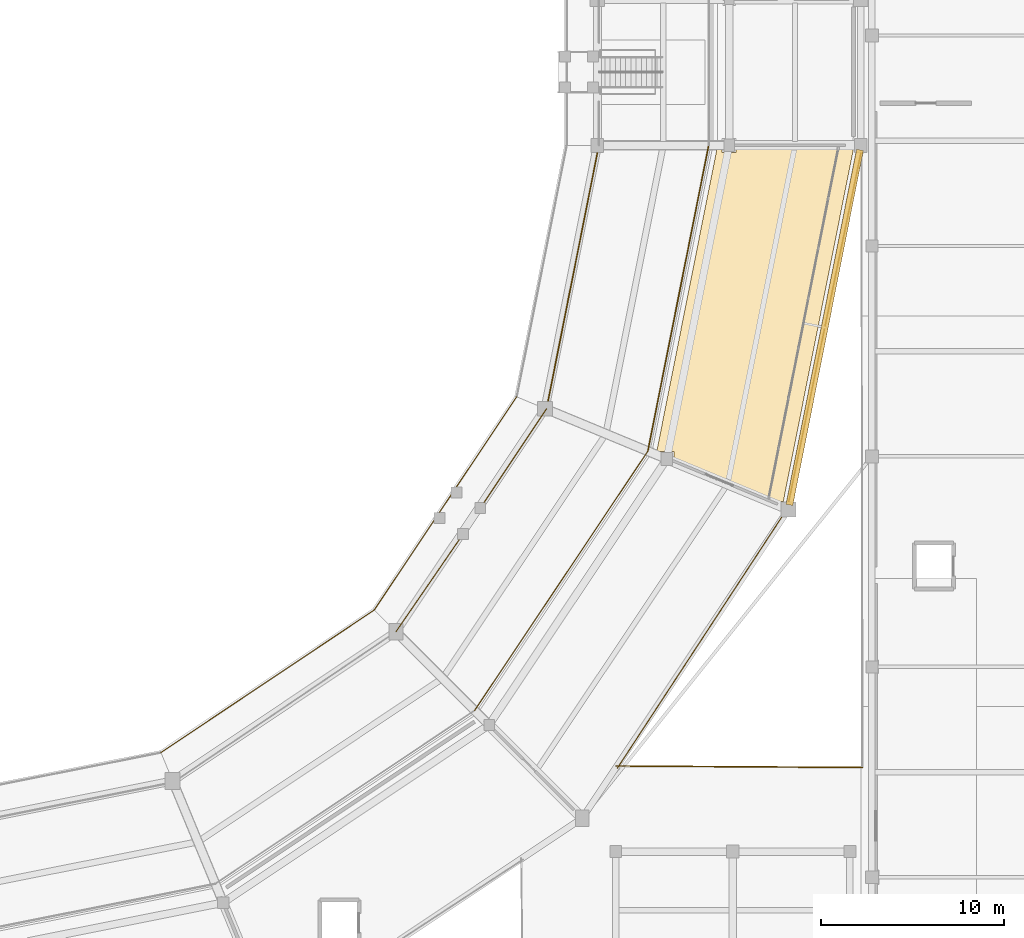
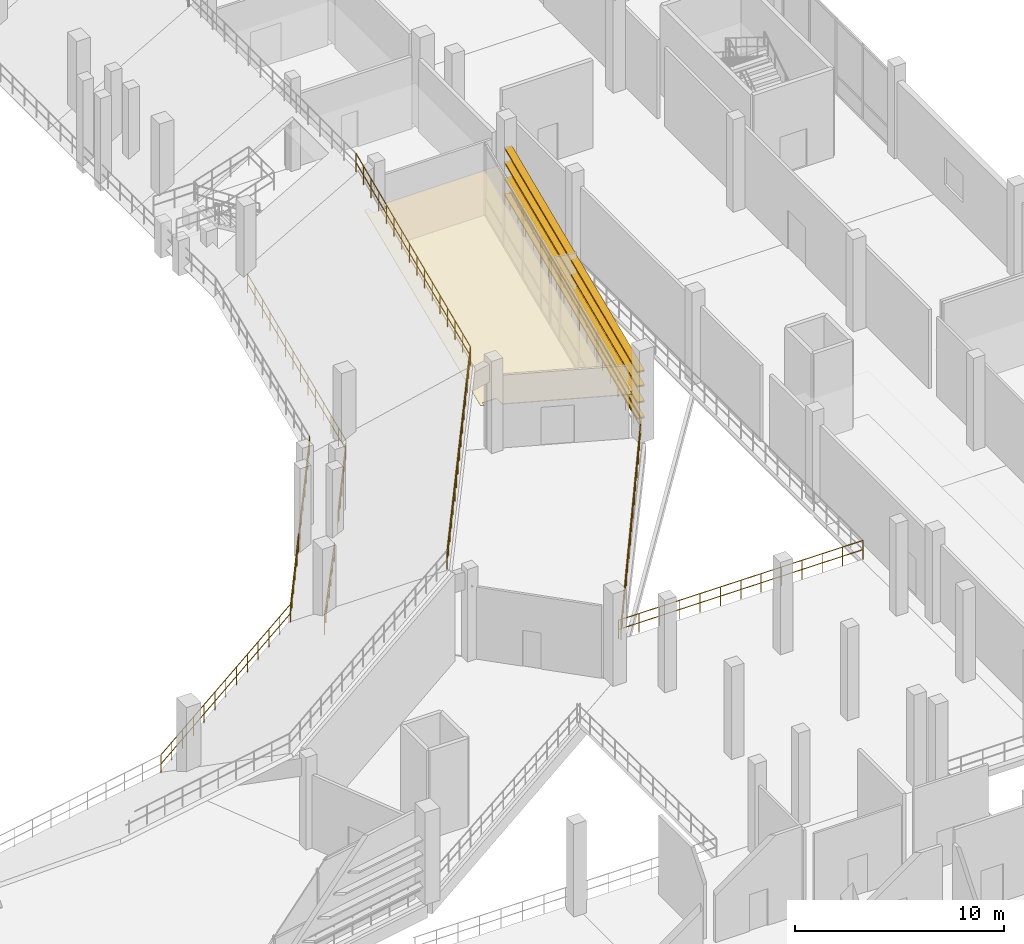
# One storey, part 113 of 127: 10 railings, 4 shading devices, 1 covering.
"""IFC4 building model written with IfcOpenShell, lengths in metres."""

from ifc_helpers import new_model, si_unit, direction, frame, origin, origin_2d, place, context, subcontext, project, spatial, polyline, rectangle, circle, outline, extrude, material, layer, layer_set, type_object, element, save


model = new_model("IFC4")

# Units and contexts
model_context = context("Model", 3, precision=1e-05, world=origin(), true_north=direction((0.0, 1.0)))
body_context = subcontext(model_context, "Body", "Model", "MODEL_VIEW")
ifc_project = project(units=[si_unit("LENGTHUNIT", "METRE"), si_unit("AREAUNIT", "SQUARE_METRE"), si_unit("VOLUMEUNIT", "CUBIC_METRE"), si_unit("PLANEANGLEUNIT", "RADIAN"), si_unit("MASSUNIT", "GRAM", prefix="KILO")], contexts=[model_context])

# Site, building, storey
site_placement = place(None, origin())
site = spatial("IfcSite", under=ifc_project, at=site_placement, CompositionType="ELEMENT")
building_placement = place(site_placement, origin())
building = spatial("IfcBuilding", under=site, at=building_placement, Name="Candeia Ridge Stadium", CompositionType="ELEMENT")
storey_placement = place(building_placement, frame((0.0, 0.0, 10.800048828125)))
storey = spatial("IfcBuildingStorey", under=building, at=storey_placement, Name="L02", CompositionType="ELEMENT", Elevation=10.800048828125)

# Covering
ifc_material_1 = material(Name="Western Red Cedar Acoustic Slat", Category="wood")
ifc_layer_1 = layer(ifc_material_1, 0.044921875, Name="Western Red Cedar Acoustic Slat", Category="wood")
ifc_layer_set_1 = layer_set([ifc_layer_1], Name="Western Red Cedar Acoustic Slat")
covering_type = type_object("IfcCoveringType", Name="Slatted Cedar Acoustic Ceiling 45", PredefinedType="CEILING", material=ifc_layer_set_1)
covering_placement = place(storey_placement, frame((0.0, 0.0, 2.510009765625)))
element("IfcCovering", 1, at=covering_placement, inside=storey, type_object=covering_type, Name="Acoustic ceiling Club Hospitality Suite L02-29", PredefinedType="CEILING", context=body_context, shape_type="SweptSolid", body=[
    extrude(outline(polyline([(185.17236328125, 71.011474609375), (185.173583984375, 71.01416015625), (185.175048828125, 71.0166015625), (185.1767578125, 71.01904296875), (185.1787109375, 71.021240234375), (185.180908203125, 71.023193359375), (185.183349609375, 71.02490234375), (185.185791015625, 71.026611328125), (185.1884765625, 71.027587890625), (185.19140625, 71.02880859375), (185.194091796875, 71.029296875), (185.197021484375, 71.02978515625), (185.199951171875, 71.030029296875), (185.419921875, 71.030029296875), (185.419921875, 70.6201171875), (186.179931640625, 70.6201171875), (186.179931640625, 71.030029296875), (192.580078125, 71.030029296875), (192.580078125, 70.74560546875), (188.759765625, 51.54052734375), (188.601806640625, 51.54052734375), (188.601806640625, 51.29345703125), (182.789794921875, 53.700927734375), (182.789794921875, 54.255859375), (181.98974609375, 54.255859375), (181.98974609375, 54.0322265625), (181.839599609375, 54.094482421875), (181.83837890625, 54.094970703125), (181.83642578125, 54.095458984375), (181.83349609375, 54.09619140625), (181.830810546875, 54.097412109375), (181.828369140625, 54.0986328125), (181.825927734375, 54.10009765625), (181.82373046875, 54.101806640625), (181.821533203125, 54.10400390625), (181.819580078125, 54.10595703125), (181.818115234375, 54.1083984375), (181.816650390625, 54.11083984375), (181.8154296875, 54.113525390625), (181.814453125, 54.1162109375), (181.813720703125, 54.118896484375), (181.8134765625, 54.121826171875), (181.813232421875, 54.124755859375), (181.8134765625, 54.127685546875), (181.81396484375, 54.130615234375), (185.170654296875, 71.005859375), (185.17138671875, 71.0087890625), (185.17236328125, 71.011474609375)])), origin(), (0.0, 0.0, 1.0), 0.0400390625),
])

# Railings
ifc_material_2 = material(Name="Galvanized Powder-Coated Steel", Category="steel")
ifc_layer_2 = layer(ifc_material_2, 0.074951171875, Name="Galvanized Powder-Coated Steel", Category="steel")
ifc_layer_set_2 = layer_set([ifc_layer_2], Name="Galvanized Powder-Coated Steel")
railing_type = type_object("IfcRailingType", Name="Spectator Bowl Front Guardrail 1120", PredefinedType="GUARDRAIL", material=ifc_layer_set_2)
railing_1_placement = place(storey_placement, frame((154.74609375, 37.814208984375, 0.39990234375)))
element("IfcRailing", 2, at=railing_1_placement, inside=storey, type_object=railing_type, Name="Stand T2 front safety guardrail bay 27", PredefinedType="GUARDRAIL", context=body_context, shape_type="SweptSolid", body=[
    extrude(circle(Radius=0.02392578125, at=origin_2d()), frame((0.0, 0.0, 1.09619140625), z_axis=(0.831460234107, 0.555584268224, 0.0), x_axis=(-0.555584268224, 0.831460234107, 0.0)), (0.0, 0.0, 1.0), 14.01513671875),
    extrude(circle(Radius=0.02392578125, at=origin_2d()), frame((0.0, 0.0, 0.56005859375), z_axis=(0.831460234107, 0.555584268224, 0.0), x_axis=(-0.555584268224, 0.831460234107, 0.0)), (0.0, 0.0, 1.0), 14.01513671875),
    extrude(circle(Radius=0.02099609375, at=origin_2d()), origin(), (0.0, 0.0, 1.0), 1.072021484375),
    extrude(circle(Radius=0.02099609375, at=origin_2d()), frame((0.97119140625, 0.64892578125, 0.0)), (0.0, 0.0, 1.0), 1.072021484375),
    extrude(circle(Radius=0.02099609375, at=origin_2d()), frame((1.942138671875, 1.2978515625, 0.0)), (0.0, 0.0, 1.0), 1.072021484375),
    extrude(circle(Radius=0.02099609375, at=origin_2d()), frame((2.913330078125, 1.94677734375, 0.0)), (0.0, 0.0, 1.0), 1.072021484375),
    extrude(circle(Radius=0.02099609375, at=origin_2d()), frame((3.88427734375, 2.595458984375, 0.0)), (0.0, 0.0, 1.0), 1.072021484375),
    extrude(circle(Radius=0.02099609375, at=origin_2d()), frame((4.85546875, 3.244384765625, 0.0)), (0.0, 0.0, 1.0), 1.072021484375),
    extrude(circle(Radius=0.02099609375, at=origin_2d()), frame((5.82666015625, 3.893310546875, 0.0)), (0.0, 0.0, 1.0), 1.072021484375),
    extrude(circle(Radius=0.02099609375, at=origin_2d()), frame((6.797607421875, 4.542236328125, 0.0)), (0.0, 0.0, 1.0), 1.072021484375),
    extrude(circle(Radius=0.02099609375, at=origin_2d()), frame((7.768798828125, 5.191162109375, 0.0)), (0.0, 0.0, 1.0), 1.072021484375),
    extrude(circle(Radius=0.02099609375, at=origin_2d()), frame((8.73974609375, 5.83984375, 0.0)), (0.0, 0.0, 1.0), 1.072021484375),
    extrude(circle(Radius=0.02099609375, at=origin_2d()), frame((9.7109375, 6.48876953125, 0.0)), (0.0, 0.0, 1.0), 1.072021484375),
    extrude(circle(Radius=0.02099609375, at=origin_2d()), frame((10.681884765625, 7.1376953125, 0.0)), (0.0, 0.0, 1.0), 1.072021484375),
    extrude(circle(Radius=0.02099609375, at=origin_2d()), frame((11.653076171875, 7.78662109375, 0.0)), (0.0, 0.0, 1.0), 1.072021484375),
])
railing_2_placement = place(storey_placement, frame((166.399169921875, 45.600830078125, 0.39990234375)))
element("IfcRailing", 3, at=railing_2_placement, inside=storey, type_object=railing_type, Name="Stand T2 front safety guardrail bay 28", PredefinedType="GUARDRAIL", context=body_context, shape_type="SweptSolid", body=[
    extrude(circle(Radius=0.02392578125, at=origin_2d()), frame((0.0, 0.0, 1.09619140625), z_axis=(0.555584268224, 0.831460234107, 0.0), x_axis=(-0.831460234107, 0.555584268224, 0.0)), (0.0, 0.0, 1.0), 14.01513671875),
    extrude(circle(Radius=0.02392578125, at=origin_2d()), frame((0.0, 0.0, 0.56005859375), z_axis=(0.555584268224, 0.831460234107, 0.0), x_axis=(-0.831460234107, 0.555584268224, 0.0)), (0.0, 0.0, 1.0), 14.01513671875),
    extrude(circle(Radius=0.02099609375, at=origin_2d()), origin(), (0.0, 0.0, 1.0), 1.072021484375),
    extrude(circle(Radius=0.02099609375, at=origin_2d()), frame((0.64892578125, 0.97119140625, 0.0)), (0.0, 0.0, 1.0), 1.072021484375),
    extrude(circle(Radius=0.02099609375, at=origin_2d()), frame((1.2978515625, 1.942138671875, 0.0)), (0.0, 0.0, 1.0), 1.072021484375),
    extrude(circle(Radius=0.02099609375, at=origin_2d()), frame((1.94677734375, 2.913330078125, 0.0)), (0.0, 0.0, 1.0), 1.072021484375),
    extrude(circle(Radius=0.02099609375, at=origin_2d()), frame((2.595458984375, 3.88427734375, 0.0)), (0.0, 0.0, 1.0), 1.072021484375),
    extrude(circle(Radius=0.02099609375, at=origin_2d()), frame((3.244384765625, 4.85546875, 0.0)), (0.0, 0.0, 1.0), 1.072021484375),
    extrude(circle(Radius=0.02099609375, at=origin_2d()), frame((3.893310546875, 5.82666015625, 0.0)), (0.0, 0.0, 1.0), 1.072021484375),
    extrude(circle(Radius=0.02099609375, at=origin_2d()), frame((4.542236328125, 6.797607421875, 0.0)), (0.0, 0.0, 1.0), 1.072021484375),
    extrude(circle(Radius=0.02099609375, at=origin_2d()), frame((5.191162109375, 7.768798828125, 0.0)), (0.0, 0.0, 1.0), 1.072021484375),
    extrude(circle(Radius=0.02099609375, at=origin_2d()), frame((5.83984375, 8.73974609375, 0.0)), (0.0, 0.0, 1.0), 1.072021484375),
    extrude(circle(Radius=0.02099609375, at=origin_2d()), frame((6.48876953125, 9.7109375, 0.0)), (0.0, 0.0, 1.0), 1.072021484375),
    extrude(circle(Radius=0.02099609375, at=origin_2d()), frame((7.1376953125, 10.681884765625, 0.0)), (0.0, 0.0, 1.0), 1.072021484375),
    extrude(circle(Radius=0.02099609375, at=origin_2d()), frame((7.78662109375, 11.653076171875, 0.0)), (0.0, 0.0, 1.0), 1.072021484375),
])
railing_3_placement = place(storey_placement, frame((171.886474609375, 40.113525390625, 4.949951171875)))
element("IfcRailing", 4, at=railing_3_placement, inside=storey, type_object=railing_type, Name="Stand T2 rear safety guardrail bay 28", PredefinedType="GUARDRAIL", context=body_context, shape_type="SweptSolid", body=[
    extrude(circle(Radius=0.02392578125, at=origin_2d()), frame((0.0, 0.0, 1.09619140625), z_axis=(0.5555626979, 0.831474647059, 0.0), x_axis=(-0.831474647059, 0.5555626979, 0.0)), (0.0, 0.0, 1.0), 17.043212890625),
    extrude(circle(Radius=0.02392578125, at=origin_2d()), frame((0.0, 0.0, 0.56005859375), z_axis=(0.5555626979, 0.831474647059, 0.0), x_axis=(-0.831474647059, 0.5555626979, 0.0)), (0.0, 0.0, 1.0), 17.043212890625),
    extrude(circle(Radius=0.02099609375, at=origin_2d()), origin(), (0.0, 0.0, 1.0), 1.072021484375),
    extrude(circle(Radius=0.02099609375, at=origin_2d()), frame((0.63134765625, 0.94482421875, 0.0)), (0.0, 0.0, 1.0), 1.072021484375),
    extrude(circle(Radius=0.02099609375, at=origin_2d()), frame((1.262451171875, 1.889404296875, 0.0)), (0.0, 0.0, 1.0), 1.072021484375),
    extrude(circle(Radius=0.02099609375, at=origin_2d()), frame((1.893798828125, 2.834228515625, 0.0)), (0.0, 0.0, 1.0), 1.072021484375),
    extrude(circle(Radius=0.02099609375, at=origin_2d()), frame((2.52490234375, 3.77880859375, 0.0)), (0.0, 0.0, 1.0), 1.072021484375),
    extrude(circle(Radius=0.02099609375, at=origin_2d()), frame((3.15625, 4.7236328125, 0.0)), (0.0, 0.0, 1.0), 1.072021484375),
    extrude(circle(Radius=0.02099609375, at=origin_2d()), frame((3.787353515625, 5.66845703125, 0.0)), (0.0, 0.0, 1.0), 1.072021484375),
    extrude(circle(Radius=0.02099609375, at=origin_2d()), frame((4.418701171875, 6.613037109375, 0.0)), (0.0, 0.0, 1.0), 1.072021484375),
    extrude(circle(Radius=0.02099609375, at=origin_2d()), frame((5.0498046875, 7.557861328125, 0.0)), (0.0, 0.0, 1.0), 1.072021484375),
    extrude(circle(Radius=0.02099609375, at=origin_2d()), frame((5.68115234375, 8.50244140625, 0.0)), (0.0, 0.0, 1.0), 1.072021484375),
    extrude(circle(Radius=0.02099609375, at=origin_2d()), frame((6.312255859375, 9.447265625, 0.0)), (0.0, 0.0, 1.0), 1.072021484375),
    extrude(circle(Radius=0.02099609375, at=origin_2d()), frame((6.943603515625, 10.39208984375, 0.0)), (0.0, 0.0, 1.0), 1.072021484375),
    extrude(circle(Radius=0.02099609375, at=origin_2d()), frame((7.57470703125, 11.336669921875, 0.0)), (0.0, 0.0, 1.0), 1.072021484375),
    extrude(circle(Radius=0.02099609375, at=origin_2d()), frame((8.2060546875, 12.281494140625, 0.0)), (0.0, 0.0, 1.0), 1.072021484375),
    extrude(circle(Radius=0.02099609375, at=origin_2d()), frame((8.837158203125, 13.22607421875, 0.0)), (0.0, 0.0, 1.0), 1.072021484375),
    extrude(circle(Radius=0.02099609375, at=origin_2d()), frame((9.468505859375, 14.1708984375, 0.0)), (0.0, 0.0, 1.0), 1.072021484375),
])
railing_4_placement = place(storey_placement, frame((181.35498046875, 54.284423828125, 4.949951171875)))
element("IfcRailing", 5, at=railing_4_placement, inside=storey, type_object=railing_type, Name="Stand T2 rear safety guardrail bay 29", PredefinedType="GUARDRAIL", context=body_context, shape_type="SweptSolid", body=[
    extrude(circle(Radius=0.02392578125, at=origin_2d()), frame((0.0, 0.0, 1.09619140625), z_axis=(0.195091244467, 0.980785096916, 0.0), x_axis=(-0.980785096916, 0.195091244467, 0.0)), (0.0, 0.0, 1.0), 17.04296875),
    extrude(circle(Radius=0.02392578125, at=origin_2d()), frame((0.0, 0.0, 0.56005859375), z_axis=(0.195091244467, 0.980785096916, 0.0), x_axis=(-0.980785096916, 0.195091244467, 0.0)), (0.0, 0.0, 1.0), 17.04296875),
    extrude(circle(Radius=0.02099609375, at=origin_2d()), origin(), (0.0, 0.0, 1.0), 1.072021484375),
    extrude(circle(Radius=0.02099609375, at=origin_2d()), frame((0.2216796875, 1.1142578125, 0.0)), (0.0, 0.0, 1.0), 1.072021484375),
    extrude(circle(Radius=0.02099609375, at=origin_2d()), frame((0.443359375, 2.228759765625, 0.0)), (0.0, 0.0, 1.0), 1.072021484375),
    extrude(circle(Radius=0.02099609375, at=origin_2d()), frame((0.6650390625, 3.343017578125, 0.0)), (0.0, 0.0, 1.0), 1.072021484375),
    extrude(circle(Radius=0.02099609375, at=origin_2d()), frame((0.88671875, 4.45751953125, 0.0)), (0.0, 0.0, 1.0), 1.072021484375),
    extrude(circle(Radius=0.02099609375, at=origin_2d()), frame((1.1083984375, 5.57177734375, 0.0)), (0.0, 0.0, 1.0), 1.072021484375),
    extrude(circle(Radius=0.02099609375, at=origin_2d()), frame((1.330078125, 6.686279296875, 0.0)), (0.0, 0.0, 1.0), 1.072021484375),
    extrude(circle(Radius=0.02099609375, at=origin_2d()), frame((1.5517578125, 7.800537109375, 0.0)), (0.0, 0.0, 1.0), 1.072021484375),
    extrude(circle(Radius=0.02099609375, at=origin_2d()), frame((1.773193359375, 8.9150390625, 0.0)), (0.0, 0.0, 1.0), 1.072021484375),
    extrude(circle(Radius=0.02099609375, at=origin_2d()), frame((1.994873046875, 10.029296875, 0.0)), (0.0, 0.0, 1.0), 1.072021484375),
    extrude(circle(Radius=0.02099609375, at=origin_2d()), frame((2.216552734375, 11.143798828125, 0.0)), (0.0, 0.0, 1.0), 1.072021484375),
    extrude(circle(Radius=0.02099609375, at=origin_2d()), frame((2.438232421875, 12.258056640625, 0.0)), (0.0, 0.0, 1.0), 1.072021484375),
    extrude(circle(Radius=0.02099609375, at=origin_2d()), frame((2.659912109375, 13.37255859375, 0.0)), (0.0, 0.0, 1.0), 1.072021484375),
    extrude(circle(Radius=0.02099609375, at=origin_2d()), frame((2.881591796875, 14.48681640625, 0.0)), (0.0, 0.0, 1.0), 1.072021484375),
    extrude(circle(Radius=0.02099609375, at=origin_2d()), frame((3.103271484375, 15.601318359375, 0.0)), (0.0, 0.0, 1.0), 1.072021484375),
    extrude(circle(Radius=0.02099609375, at=origin_2d()), frame((3.324951171875, 16.715576171875, 0.0)), (0.0, 0.0, 1.0), 1.072021484375),
])
railing_5_placement = place(storey_placement, frame((179.6201171875, 37.080078125, 0.0)))
element("IfcRailing", 6, at=railing_5_placement, inside=storey, type_object=railing_type, Name="Deck edge safety guardrail GR-DE-L02-0077", PredefinedType="GUARDRAIL", context=body_context, shape_type="SweptSolid", body=[
    extrude(circle(Radius=0.02392578125, at=origin_2d()), frame((0.0, 0.0, 1.09619140625), z_axis=(0.99998230304, -0.005949252619, 0.0), x_axis=(0.005949252619, 0.99998230304, 0.0)), (0.0, 0.0, 1.0), 13.460205078125),
    extrude(circle(Radius=0.02392578125, at=origin_2d()), frame((0.0, 0.0, 0.56005859375), z_axis=(0.99998230304, -0.005949252619, 0.0), x_axis=(0.005949252619, 0.99998230304, 0.0)), (0.0, 0.0, 1.0), 13.460205078125),
    extrude(circle(Radius=0.02099609375, at=origin_2d()), origin(), (0.0, 0.0, 1.0), 1.072021484375),
    extrude(circle(Radius=0.02099609375, at=origin_2d()), frame((1.12158203125, -0.006591796875, 0.0)), (0.0, 0.0, 1.0), 1.072021484375),
    extrude(circle(Radius=0.02099609375, at=origin_2d()), frame((2.243408203125, -0.013427734375, 0.0)), (0.0, 0.0, 1.0), 1.072021484375),
    extrude(circle(Radius=0.02099609375, at=origin_2d()), frame((3.364990234375, -0.02001953125, 0.0)), (0.0, 0.0, 1.0), 1.072021484375),
    extrude(circle(Radius=0.02099609375, at=origin_2d()), frame((4.486572265625, -0.026611328125, 0.0)), (0.0, 0.0, 1.0), 1.072021484375),
    extrude(circle(Radius=0.02099609375, at=origin_2d()), frame((5.6083984375, -0.033447265625, 0.0)), (0.0, 0.0, 1.0), 1.072021484375),
    extrude(circle(Radius=0.02099609375, at=origin_2d()), frame((6.72998046875, -0.0400390625, 0.0)), (0.0, 0.0, 1.0), 1.072021484375),
    extrude(circle(Radius=0.02099609375, at=origin_2d()), frame((7.8515625, -0.046630859375, 0.0)), (0.0, 0.0, 1.0), 1.072021484375),
    extrude(circle(Radius=0.02099609375, at=origin_2d()), frame((8.973388671875, -0.053466796875, 0.0)), (0.0, 0.0, 1.0), 1.072021484375),
    extrude(circle(Radius=0.02099609375, at=origin_2d()), frame((10.094970703125, -0.06005859375, 0.0)), (0.0, 0.0, 1.0), 1.072021484375),
    extrude(circle(Radius=0.02099609375, at=origin_2d()), frame((11.216552734375, -0.066650390625, 0.0)), (0.0, 0.0, 1.0), 1.072021484375),
    extrude(circle(Radius=0.02099609375, at=origin_2d()), frame((12.33837890625, -0.073486328125, 0.0)), (0.0, 0.0, 1.0), 1.072021484375),
    extrude(circle(Radius=0.02099609375, at=origin_2d()), frame((13.4599609375, -0.080078125, 0.0)), (0.0, 0.0, 1.0), 1.072021484375),
])
railing_6_placement = place(storey_placement, frame((193.017333984375, 70.6767578125, 0.0)))
element("IfcRailing", 7, at=railing_6_placement, inside=storey, type_object=railing_type, Name="Deck edge safety guardrail GR-DE-L02-0079", PredefinedType="GUARDRAIL", context=body_context, shape_type="SweptSolid", body=[
    extrude(circle(Radius=0.02392578125, at=origin_2d()), frame((0.0, 0.0, 1.09619140625), z_axis=(-0.202662673924, -0.97924861021, 0.0), x_axis=(0.97924861021, -0.202662673924, 0.0)), (0.0, 0.0, 1.0), 19.945556640625),
    extrude(circle(Radius=0.02392578125, at=origin_2d()), frame((0.0, 0.0, 0.56005859375), z_axis=(-0.202662673924, -0.97924861021, 0.0), x_axis=(0.97924861021, -0.202662673924, 0.0)), (0.0, 0.0, 1.0), 19.945556640625),
    extrude(circle(Radius=0.02099609375, at=origin_2d()), origin(), (0.0, 0.0, 1.0), 1.072021484375),
    extrude(circle(Radius=0.02099609375, at=origin_2d()), frame((-0.23779296875, -1.14892578125, 0.0)), (0.0, 0.0, 1.0), 1.072021484375),
    extrude(circle(Radius=0.02099609375, at=origin_2d()), frame((-0.4755859375, -2.2978515625, 0.0)), (0.0, 0.0, 1.0), 1.072021484375),
    extrude(circle(Radius=0.02099609375, at=origin_2d()), frame((-0.71337890625, -3.44677734375, 0.0)), (0.0, 0.0, 1.0), 1.072021484375),
    extrude(circle(Radius=0.02099609375, at=origin_2d()), frame((-0.951171875, -4.595703125, 0.0)), (0.0, 0.0, 1.0), 1.072021484375),
    extrude(circle(Radius=0.02099609375, at=origin_2d()), frame((-1.18896484375, -5.74462890625, 0.0)), (0.0, 0.0, 1.0), 1.072021484375),
    extrude(circle(Radius=0.02099609375, at=origin_2d()), frame((-1.4267578125, -6.8935546875, 0.0)), (0.0, 0.0, 1.0), 1.072021484375),
    extrude(circle(Radius=0.02099609375, at=origin_2d()), frame((-1.66455078125, -8.04248046875, 0.0)), (0.0, 0.0, 1.0), 1.072021484375),
    extrude(circle(Radius=0.02099609375, at=origin_2d()), frame((-1.90234375, -9.19140625, 0.0)), (0.0, 0.0, 1.0), 1.072021484375),
    extrude(circle(Radius=0.02099609375, at=origin_2d()), frame((-2.139892578125, -10.34033203125, 0.0)), (0.0, 0.0, 1.0), 1.072021484375),
    extrude(circle(Radius=0.02099609375, at=origin_2d()), frame((-2.377685546875, -11.4892578125, 0.0)), (0.0, 0.0, 1.0), 1.072021484375),
    extrude(circle(Radius=0.02099609375, at=origin_2d()), frame((-2.615478515625, -12.63818359375, 0.0)), (0.0, 0.0, 1.0), 1.072021484375),
    extrude(circle(Radius=0.02099609375, at=origin_2d()), frame((-2.853271484375, -13.787109375, 0.0)), (0.0, 0.0, 1.0), 1.072021484375),
    extrude(circle(Radius=0.02099609375, at=origin_2d()), frame((-3.091064453125, -14.93603515625, 0.0)), (0.0, 0.0, 1.0), 1.072021484375),
    extrude(circle(Radius=0.02099609375, at=origin_2d()), frame((-3.328857421875, -16.0849609375, 0.0)), (0.0, 0.0, 1.0), 1.072021484375),
    extrude(circle(Radius=0.02099609375, at=origin_2d()), frame((-3.566650390625, -17.23388671875, 0.0)), (0.0, 0.0, 1.0), 1.072021484375),
    extrude(circle(Radius=0.02099609375, at=origin_2d()), frame((-3.804443359375, -18.3828125, 0.0)), (0.0, 0.0, 1.0), 1.072021484375),
    extrude(circle(Radius=0.02099609375, at=origin_2d()), frame((-4.042236328125, -19.53173828125, 0.0)), (0.0, 0.0, 1.0), 1.072021484375),
])
railing_7_placement = place(storey_placement, frame((188.97509765625, 51.14501953125, 0.0)))
element("IfcRailing", 8, at=railing_7_placement, inside=storey, type_object=railing_type, Name="Deck edge safety guardrail GR-DE-L02-0080", PredefinedType="GUARDRAIL", context=body_context, shape_type="SweptSolid", body=[
    extrude(circle(Radius=0.02392578125, at=origin_2d()), frame((0.0, 0.0, 1.09619140625), z_axis=(-0.547697653631, -0.836676329417, 0.0), x_axis=(0.836676329417, -0.547697653631, 0.0)), (0.0, 0.0, 1.0), 16.959228515625),
    extrude(circle(Radius=0.02392578125, at=origin_2d()), frame((0.0, 0.0, 0.56005859375), z_axis=(-0.547697653631, -0.836676329417, 0.0), x_axis=(0.836676329417, -0.547697653631, 0.0)), (0.0, 0.0, 1.0), 16.959228515625),
    extrude(circle(Radius=0.02099609375, at=origin_2d()), origin(), (0.0, 0.0, 1.0), 1.072021484375),
    extrude(circle(Radius=0.02099609375, at=origin_2d()), frame((-0.619140625, -0.946044921875, 0.0)), (0.0, 0.0, 1.0), 1.072021484375),
    extrude(circle(Radius=0.02099609375, at=origin_2d()), frame((-1.238525390625, -1.891845703125, 0.0)), (0.0, 0.0, 1.0), 1.072021484375),
    extrude(circle(Radius=0.02099609375, at=origin_2d()), frame((-1.857666015625, -2.837890625, 0.0)), (0.0, 0.0, 1.0), 1.072021484375),
    extrude(circle(Radius=0.02099609375, at=origin_2d()), frame((-2.47705078125, -3.783935546875, 0.0)), (0.0, 0.0, 1.0), 1.072021484375),
    extrude(circle(Radius=0.02099609375, at=origin_2d()), frame((-3.09619140625, -4.729736328125, 0.0)), (0.0, 0.0, 1.0), 1.072021484375),
    extrude(circle(Radius=0.02099609375, at=origin_2d()), frame((-3.71533203125, -5.67578125, 0.0)), (0.0, 0.0, 1.0), 1.072021484375),
    extrude(circle(Radius=0.02099609375, at=origin_2d()), frame((-4.334716796875, -6.621826171875, 0.0)), (0.0, 0.0, 1.0), 1.072021484375),
    extrude(circle(Radius=0.02099609375, at=origin_2d()), frame((-4.953857421875, -7.567626953125, 0.0)), (0.0, 0.0, 1.0), 1.072021484375),
    extrude(circle(Radius=0.02099609375, at=origin_2d()), frame((-5.5732421875, -8.513671875, 0.0)), (0.0, 0.0, 1.0), 1.072021484375),
    extrude(circle(Radius=0.02099609375, at=origin_2d()), frame((-6.1923828125, -9.459716796875, 0.0)), (0.0, 0.0, 1.0), 1.072021484375),
    extrude(circle(Radius=0.02099609375, at=origin_2d()), frame((-6.8115234375, -10.405517578125, 0.0)), (0.0, 0.0, 1.0), 1.072021484375),
    extrude(circle(Radius=0.02099609375, at=origin_2d()), frame((-7.430908203125, -11.3515625, 0.0)), (0.0, 0.0, 1.0), 1.072021484375),
    extrude(circle(Radius=0.02099609375, at=origin_2d()), frame((-8.050048828125, -12.297607421875, 0.0)), (0.0, 0.0, 1.0), 1.072021484375),
    extrude(circle(Radius=0.02099609375, at=origin_2d()), frame((-8.66943359375, -13.243408203125, 0.0)), (0.0, 0.0, 1.0), 1.072021484375),
    extrude(circle(Radius=0.02099609375, at=origin_2d()), frame((-9.28857421875, -14.189453125, 0.0)), (0.0, 0.0, 1.0), 1.072021484375),
])
railing_8_placement = place(storey_placement, frame((167.587158203125, 44.412841796875, 0.0)))
element("IfcRailing", 9, at=railing_8_placement, inside=storey, type_object=railing_type, Name="Deck edge safety guardrail GR-DE-L02-0089", PredefinedType="GUARDRAIL", context=body_context, shape_type="SweptSolid", body=[
    extrude(circle(Radius=0.02392578125, at=origin_2d()), frame((0.0, 0.0, 1.09619140625), z_axis=(0.566371994549, 0.824149721707, 0.0), x_axis=(-0.824149721707, 0.566371994549, 0.0)), (0.0, 0.0, 1.0), 6.144775390625),
    extrude(circle(Radius=0.02392578125, at=origin_2d()), frame((0.0, 0.0, 0.56005859375), z_axis=(0.566371994549, 0.824149721707, 0.0), x_axis=(-0.824149721707, 0.566371994549, 0.0)), (0.0, 0.0, 1.0), 6.144775390625),
    extrude(circle(Radius=0.02099609375, at=origin_2d()), origin(), (0.0, 0.0, 1.0), 1.072021484375),
    extrude(circle(Radius=0.02099609375, at=origin_2d()), frame((0.580078125, 0.843994140625, 0.0)), (0.0, 0.0, 1.0), 1.072021484375),
    extrude(circle(Radius=0.02099609375, at=origin_2d()), frame((1.16015625, 1.68798828125, 0.0)), (0.0, 0.0, 1.0), 1.072021484375),
    extrude(circle(Radius=0.02099609375, at=origin_2d()), frame((1.740234375, 2.5322265625, 0.0)), (0.0, 0.0, 1.0), 1.072021484375),
    extrude(circle(Radius=0.02099609375, at=origin_2d()), frame((2.320068359375, 3.376220703125, 0.0)), (0.0, 0.0, 1.0), 1.072021484375),
    extrude(circle(Radius=0.02099609375, at=origin_2d()), frame((2.900146484375, 4.22021484375, 0.0)), (0.0, 0.0, 1.0), 1.072021484375),
    extrude(circle(Radius=0.02099609375, at=origin_2d()), frame((3.480224609375, 5.064208984375, 0.0)), (0.0, 0.0, 1.0), 1.072021484375),
])
railing_9_placement = place(storey_placement, frame((172.390869140625, 51.457763671875, 0.0)))
element("IfcRailing", 10, at=railing_9_placement, inside=storey, type_object=railing_type, Name="Deck edge safety guardrail GR-DE-L02-0090", PredefinedType="GUARDRAIL", context=body_context, shape_type="SweptSolid", body=[
    extrude(circle(Radius=0.02392578125, at=origin_2d()), frame((0.0, 0.0, 1.09619140625), z_axis=(0.554745815185, 0.832019879891, 0.0), x_axis=(-0.832019879891, 0.554745815185, 0.0)), (0.0, 0.0, 1.0), 6.175048828125),
    extrude(circle(Radius=0.02392578125, at=origin_2d()), frame((0.0, 0.0, 0.56005859375), z_axis=(0.554745815185, 0.832019879891, 0.0), x_axis=(-0.832019879891, 0.554745815185, 0.0)), (0.0, 0.0, 1.0), 6.175048828125),
    extrude(circle(Radius=0.02099609375, at=origin_2d()), origin(), (0.0, 0.0, 1.0), 1.072021484375),
    extrude(circle(Radius=0.02099609375, at=origin_2d()), frame((0.57080078125, 0.856201171875, 0.0)), (0.0, 0.0, 1.0), 1.072021484375),
    extrude(circle(Radius=0.02099609375, at=origin_2d()), frame((1.141845703125, 1.712646484375, 0.0)), (0.0, 0.0, 1.0), 1.072021484375),
    extrude(circle(Radius=0.02099609375, at=origin_2d()), frame((1.712890625, 2.56884765625, 0.0)), (0.0, 0.0, 1.0), 1.072021484375),
    extrude(circle(Radius=0.02099609375, at=origin_2d()), frame((2.28369140625, 3.425048828125, 0.0)), (0.0, 0.0, 1.0), 1.072021484375),
    extrude(circle(Radius=0.02099609375, at=origin_2d()), frame((2.8544921875, 4.281494140625, 0.0)), (0.0, 0.0, 1.0), 1.072021484375),
    extrude(circle(Radius=0.02099609375, at=origin_2d()), frame((3.425537109375, 5.1376953125, 0.0)), (0.0, 0.0, 1.0), 1.072021484375),
])
railing_10_placement = place(storey_placement, frame((175.81640625, 56.595458984375, 0.0)))
element("IfcRailing", 11, at=railing_10_placement, inside=storey, type_object=railing_type, Name="Deck edge safety guardrail GR-DE-L02-0091", PredefinedType="GUARDRAIL", context=body_context, shape_type="SweptSolid", body=[
    extrude(circle(Radius=0.02392578125, at=origin_2d()), frame((0.0, 0.0, 1.09619140625), z_axis=(0.194977927437, 0.98080763038, 0.0), x_axis=(-0.98080763038, 0.194977927437, 0.0)), (0.0, 0.0, 1.0), 14.6865234375),
    extrude(circle(Radius=0.02392578125, at=origin_2d()), frame((0.0, 0.0, 0.56005859375), z_axis=(0.194977927437, 0.98080763038, 0.0), x_axis=(-0.98080763038, 0.194977927437, 0.0)), (0.0, 0.0, 1.0), 14.6865234375),
    extrude(circle(Radius=0.02099609375, at=origin_2d()), origin(), (0.0, 0.0, 1.0), 1.072021484375),
    extrude(circle(Radius=0.02099609375, at=origin_2d()), frame((0.22021484375, 1.108154296875, 0.0)), (0.0, 0.0, 1.0), 1.072021484375),
    extrude(circle(Radius=0.02099609375, at=origin_2d()), frame((0.4404296875, 2.216064453125, 0.0)), (0.0, 0.0, 1.0), 1.072021484375),
    extrude(circle(Radius=0.02099609375, at=origin_2d()), frame((0.660888671875, 3.32421875, 0.0)), (0.0, 0.0, 1.0), 1.072021484375),
    extrude(circle(Radius=0.02099609375, at=origin_2d()), frame((0.881103515625, 4.43212890625, 0.0)), (0.0, 0.0, 1.0), 1.072021484375),
    extrude(circle(Radius=0.02099609375, at=origin_2d()), frame((1.101318359375, 5.540283203125, 0.0)), (0.0, 0.0, 1.0), 1.072021484375),
    extrude(circle(Radius=0.02099609375, at=origin_2d()), frame((1.321533203125, 6.648193359375, 0.0)), (0.0, 0.0, 1.0), 1.072021484375),
    extrude(circle(Radius=0.02099609375, at=origin_2d()), frame((1.5419921875, 7.75634765625, 0.0)), (0.0, 0.0, 1.0), 1.072021484375),
    extrude(circle(Radius=0.02099609375, at=origin_2d()), frame((1.76220703125, 8.8642578125, 0.0)), (0.0, 0.0, 1.0), 1.072021484375),
    extrude(circle(Radius=0.02099609375, at=origin_2d()), frame((1.982421875, 9.972412109375, 0.0)), (0.0, 0.0, 1.0), 1.072021484375),
    extrude(circle(Radius=0.02099609375, at=origin_2d()), frame((2.20263671875, 11.080322265625, 0.0)), (0.0, 0.0, 1.0), 1.072021484375),
    extrude(circle(Radius=0.02099609375, at=origin_2d()), frame((2.423095703125, 12.1884765625, 0.0)), (0.0, 0.0, 1.0), 1.072021484375),
    extrude(circle(Radius=0.02099609375, at=origin_2d()), frame((2.643310546875, 13.29638671875, 0.0)), (0.0, 0.0, 1.0), 1.072021484375),
    extrude(circle(Radius=0.02099609375, at=origin_2d()), frame((2.863525390625, 14.404541015625, 0.0)), (0.0, 0.0, 1.0), 1.072021484375),
])

# Shading devices
ifc_material_3 = material(Name="Aluminium Anodized Warm Bronze", Category="aluminium")
shading_device_type = type_object("IfcShadingDeviceType", Name="Weathered Bronze Horizontal Solar Rib 380x85", PredefinedType="JALOUSIE", material=ifc_material_3)
for number, where, z_axis, x_axis, name in (
    (12, (191.020751953125, 61.05029296875, 0.8935546875), (0.0, 0.0, 1.0), (0.195090311899, 0.980785282416, 0.0), "Weathered bronze horizontal solar rib L02 bay 29-1"),
    (13, (191.020751953125, 61.05029296875, 1.82958984375), (0.0, 0.0, 1.0), (0.195090311899, 0.980785282416, 0.0), "Weathered bronze horizontal solar rib L02 bay 29-2"),
    (14, (191.020751953125, 61.05029296875, 2.765869140625), (0.0, 0.0, 1.0), (0.195090311899, 0.980785282416, 0.0), "Weathered bronze horizontal solar rib L02 bay 29-3"),
    (15, (191.020751953125, 61.05029296875, 3.61669921875), (0.0, 0.0, 1.0), (0.195090311899, 0.980785282416, 0.0), "Weathered bronze horizontal solar rib L02 bay 29-4"),
):
    element("IfcShadingDevice", number, at=place(storey_placement, frame(where, z_axis=z_axis, x_axis=x_axis)), inside=storey, type_object=shading_device_type, Name=name, PredefinedType="JALOUSIE", context=body_context, shape_type="SweptSolid", body=[
        extrude(rectangle(XDim=19.789306640625, YDim=0.3798828125, at=origin_2d()), origin(), (0.0, 0.0, 1.0), 0.0849609375),
    ])

save(model, "model.ifc")
